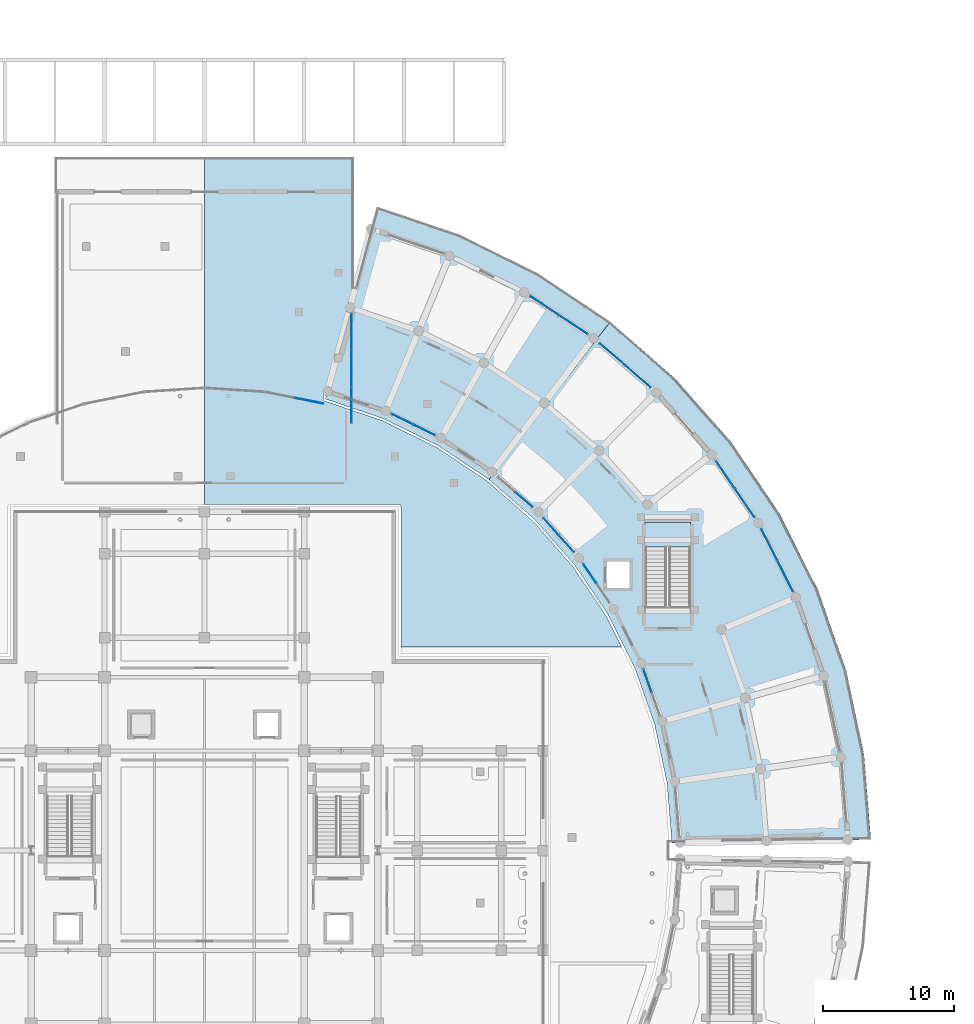
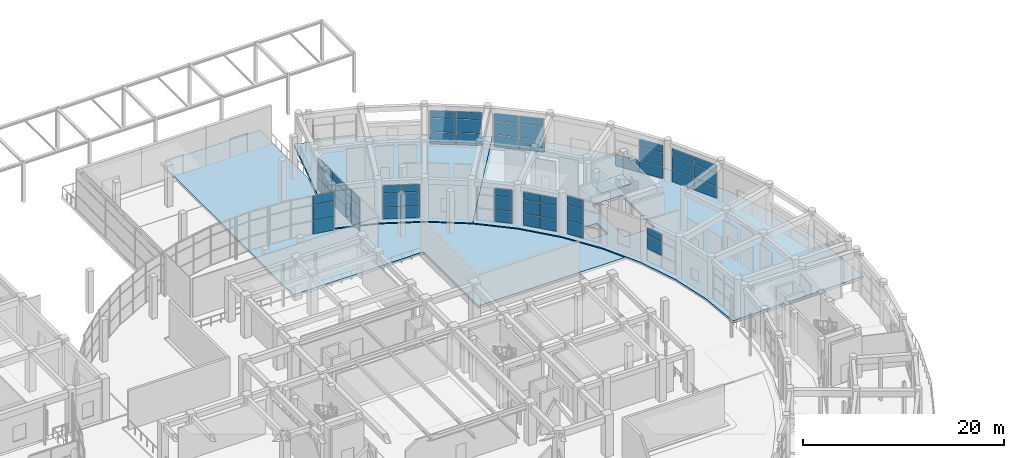
# One storey, part 61 of 99: 54 plates, 4 slabs, 12 elements without a shape of their own.
"""IFC4 building model written with IfcOpenShell, lengths in metres."""

from ifc_helpers import new_model, si_unit, direction, frame, origin, origin_2d, place, context, subcontext, project, spatial, polyline, rectangle, outline, extrude, material, layer, layer_set, type_object, element, aggregate, save


model = new_model("IFC4")

# Units and contexts
model_context = context("Model", 3, precision=1e-05, world=origin(), true_north=direction((0.0, 1.0)))
body_context = subcontext(model_context, "Body", "Model", "MODEL_VIEW")
ifc_project = project(units=[si_unit("LENGTHUNIT", "METRE"), si_unit("AREAUNIT", "SQUARE_METRE"), si_unit("VOLUMEUNIT", "CUBIC_METRE"), si_unit("PLANEANGLEUNIT", "RADIAN"), si_unit("MASSUNIT", "GRAM", prefix="KILO")], contexts=[model_context])

# Site, building, storey
site_placement = place(None, origin())
site = spatial("IfcSite", under=ifc_project, at=site_placement, CompositionType="ELEMENT")
building_placement = place(site_placement, origin())
building = spatial("IfcBuilding", under=site, at=building_placement, Name="Saryqyr Civic Hall", CompositionType="ELEMENT")
storey_placement = place(building_placement, origin())
storey = spatial("IfcBuildingStorey", under=building, at=storey_placement, Name="L00", CompositionType="ELEMENT", Elevation=0.0)

# Curtain wall, plates
ifc_material_1 = material(Name="Anodised aluminium and triple low-E glass", Category="aluminium")
curtain_wall_type_1 = type_object("IfcCurtainWallType", Name="ENV-CW-STD-07", PredefinedType="NOTDEFINED", material=ifc_material_1)
curtain_wall_1_placement = place(storey_placement, origin())
curtain_wall_1 = element("IfcCurtainWall", 1, at=curtain_wall_1_placement, inside=storey, type_object=curtain_wall_type_1, Name="Curtain wall V6-CWI-L00-02", PredefinedType="NOTDEFINED")
ifc_material_2 = material(Name="Triple low-E insulated glazing", Category="glass")
ifc_layer_1 = layer(ifc_material_2, 0.053955078125, Name="Triple low-E insulated glazing")
ifc_layer_set_1 = layer_set([ifc_layer_1], Name="Triple low-E insulated glazing")
plate_type = type_object("IfcPlateType", Name="ENV-CW-PNL-38", PredefinedType="CURTAIN_PANEL", material=ifc_layer_set_1)
plate_1_placement = place(storey_placement, frame((90.749267578125, 96.916748046875, 1.5400390625), z_axis=(0.0, 0.0, 1.0), x_axis=(-0.333172944954, 0.942865732091, 0.0)))
plate_1 = element("IfcPlate", 2, at=plate_1_placement, type_object=plate_type, Name="CW-07 panel 2.2", PredefinedType="CURTAIN_PANEL", context=body_context, shape_type="SweptSolid", body=[
    extrude(rectangle(XDim=1.8076171875, YDim=0.053955078125, at=origin_2d()), origin(), (0.0, 0.0, 1.0), 1.617919921875),
])
plate_2_placement = place(storey_placement, frame((90.749267578125, 96.916748046875, 3.218017578125), z_axis=(0.0, 0.0, 1.0), x_axis=(-0.333172944954, 0.942865732091, 0.0)))
plate_2 = element("IfcPlate", 3, at=plate_2_placement, type_object=plate_type, Name="CW-07 panel 2.3", PredefinedType="CURTAIN_PANEL", context=body_context, shape_type="SweptSolid", body=[
    extrude(rectangle(XDim=1.8076171875, YDim=0.053955078125, at=origin_2d()), origin(), (0.0, 0.0, 1.0), 0.9169921875),
])
aggregate(curtain_wall_1, [plate_1, plate_2])

curtain_wall_type_2 = type_object("IfcCurtainWallType", Name="ENV-CW-STD-35", PredefinedType="NOTDEFINED", material=ifc_material_1)
curtain_wall_2_placement = place(storey_placement, origin())
curtain_wall_2 = element("IfcCurtainWall", 4, at=curtain_wall_2_placement, inside=storey, type_object=curtain_wall_type_2, Name="Curtain wall V6-CWO-L00-03", PredefinedType="NOTDEFINED")
plate_3_placement = place(storey_placement, frame((100.016357421875, 107.28857421875, 0.06005859375), z_axis=(0.0, 0.0, 1.0), x_axis=(0.451942386625, -0.892047128335, 0.0)))
plate_3 = element("IfcPlate", 5, at=plate_3_placement, type_object=plate_type, Name="CW-35 panel 1.1", PredefinedType="CURTAIN_PANEL", context=body_context, shape_type="SweptSolid", body=[
    extrude(rectangle(XDim=2.609130859375, YDim=0.053955078125, at=origin_2d()), origin(), (0.0, 0.0, 1.0), 1.419921875),
])
plate_4_placement = place(storey_placement, frame((100.016357421875, 107.28857421875, 1.5400390625), z_axis=(0.0, 0.0, 1.0), x_axis=(0.451942386625, -0.892047128335, 0.0)))
plate_4 = element("IfcPlate", 6, at=plate_4_placement, type_object=plate_type, Name="CW-35 panel 1.2", PredefinedType="CURTAIN_PANEL", context=body_context, shape_type="SweptSolid", body=[
    extrude(rectangle(XDim=2.609130859375, YDim=0.053955078125, at=origin_2d()), origin(), (0.0, 0.0, 1.0), 1.617919921875),
])
plate_5_placement = place(storey_placement, frame((100.016357421875, 107.28857421875, 3.218017578125), z_axis=(0.0, 0.0, 1.0), x_axis=(0.451942386625, -0.892047128335, 0.0)))
plate_5 = element("IfcPlate", 7, at=plate_5_placement, type_object=plate_type, Name="CW-35 panel 1.3", PredefinedType="CURTAIN_PANEL", context=body_context, shape_type="SweptSolid", body=[
    extrude(rectangle(XDim=2.609130859375, YDim=0.053955078125, at=origin_2d()), origin(), (0.0, 0.0, 1.0), 0.9169921875),
])
plate_6_placement = place(storey_placement, frame((101.222412109375, 104.90771484375, 0.06005859375), z_axis=(0.0, 0.0, 1.0), x_axis=(0.451942386625, -0.892047128335, 0.0)))
plate_6 = element("IfcPlate", 8, at=plate_6_placement, type_object=plate_type, Name="CW-35 panel 2.1", PredefinedType="CURTAIN_PANEL", context=body_context, shape_type="SweptSolid", body=[
    extrude(rectangle(XDim=2.609130859375, YDim=0.053955078125, at=origin_2d()), origin(), (0.0, 0.0, 1.0), 1.419921875),
])
plate_7_placement = place(storey_placement, frame((101.222412109375, 104.90771484375, 1.5400390625), z_axis=(0.0, 0.0, 1.0), x_axis=(0.451942386625, -0.892047128335, 0.0)))
plate_7 = element("IfcPlate", 9, at=plate_7_placement, type_object=plate_type, Name="CW-35 panel 2.2", PredefinedType="CURTAIN_PANEL", context=body_context, shape_type="SweptSolid", body=[
    extrude(rectangle(XDim=2.609130859375, YDim=0.053955078125, at=origin_2d()), origin(), (0.0, 0.0, 1.0), 1.617919921875),
])
plate_8_placement = place(storey_placement, frame((101.222412109375, 104.90771484375, 3.218017578125), z_axis=(0.0, 0.0, 1.0), x_axis=(0.451942386625, -0.892047128335, 0.0)))
plate_8 = element("IfcPlate", 10, at=plate_8_placement, type_object=plate_type, Name="CW-35 panel 2.3", PredefinedType="CURTAIN_PANEL", context=body_context, shape_type="SweptSolid", body=[
    extrude(rectangle(XDim=2.609130859375, YDim=0.053955078125, at=origin_2d()), origin(), (0.0, 0.0, 1.0), 0.9169921875),
])
aggregate(curtain_wall_2, [plate_3, plate_4, plate_5, plate_6, plate_7, plate_8])

curtain_wall_type_3 = type_object("IfcCurtainWallType", Name="ENV-CW-STD-42", PredefinedType="NOTDEFINED", material=ifc_material_1)
curtain_wall_3_placement = place(storey_placement, origin())
curtain_wall_3 = element("IfcCurtainWall", 11, at=curtain_wall_3_placement, inside=storey, type_object=curtain_wall_type_3, Name="Curtain wall V6-CWO-L00-04", PredefinedType="NOTDEFINED")
plate_9_placement = place(storey_placement, frame((96.66650390625, 112.623291015625, 0.06005859375), z_axis=(0.0, 0.0, 1.0), x_axis=(0.563119415089, -0.826375534699, 0.0)))
plate_9 = element("IfcPlate", 12, at=plate_9_placement, type_object=plate_type, Name="CW-42 panel 1.1", PredefinedType="CURTAIN_PANEL", context=body_context, shape_type="SweptSolid", body=[
    extrude(rectangle(XDim=2.572021484375, YDim=0.053955078125, at=origin_2d()), origin(), (0.0, 0.0, 1.0), 1.419921875),
])
plate_10_placement = place(storey_placement, frame((98.148681640625, 110.4482421875, 0.06005859375), z_axis=(0.0, 0.0, 1.0), x_axis=(0.563119415089, -0.826375534699, 0.0)))
plate_10 = element("IfcPlate", 13, at=plate_10_placement, type_object=plate_type, Name="CW-42 panel 2.1", PredefinedType="CURTAIN_PANEL", context=body_context, shape_type="SweptSolid", body=[
    extrude(rectangle(XDim=2.572021484375, YDim=0.053955078125, at=origin_2d()), origin(), (0.0, 0.0, 1.0), 1.419921875),
])
plate_11_placement = place(storey_placement, frame((98.148681640625, 110.4482421875, 1.5400390625), z_axis=(0.0, 0.0, 1.0), x_axis=(0.563119415089, -0.826375534699, 0.0)))
plate_11 = element("IfcPlate", 14, at=plate_11_placement, type_object=plate_type, Name="CW-42 panel 2.2", PredefinedType="CURTAIN_PANEL", context=body_context, shape_type="SweptSolid", body=[
    extrude(rectangle(XDim=2.572021484375, YDim=0.053955078125, at=origin_2d()), origin(), (0.0, 0.0, 1.0), 1.617919921875),
])
plate_12_placement = place(storey_placement, frame((98.148681640625, 110.4482421875, 3.218017578125), z_axis=(0.0, 0.0, 1.0), x_axis=(0.563119415089, -0.826375534699, 0.0)))
plate_12 = element("IfcPlate", 15, at=plate_12_placement, type_object=plate_type, Name="CW-42 panel 2.3", PredefinedType="CURTAIN_PANEL", context=body_context, shape_type="SweptSolid", body=[
    extrude(rectangle(XDim=2.572021484375, YDim=0.053955078125, at=origin_2d()), origin(), (0.0, 0.0, 1.0), 0.9169921875),
])
aggregate(curtain_wall_3, [plate_9, plate_10, plate_11, plate_12])

curtain_wall_type_4 = type_object("IfcCurtainWallType", Name="ENV-CW-STD-43", PredefinedType="NOTDEFINED", material=ifc_material_1)
curtain_wall_4_placement = place(storey_placement, origin())
curtain_wall_4 = element("IfcCurtainWall", 16, at=curtain_wall_4_placement, inside=storey, type_object=curtain_wall_type_4, Name="Curtain wall V6-CWI-L00-04", PredefinedType="NOTDEFINED")
plate_13_placement = place(storey_placement, frame((86.34375, 105.088623046875, 0.06005859375), z_axis=(0.0, 0.0, 1.0), x_axis=(-0.563133092967, 0.826366213979, 0.0)))
plate_13 = element("IfcPlate", 17, at=plate_13_placement, type_object=plate_type, Name="CW-43 panel 2.1", PredefinedType="CURTAIN_PANEL", context=body_context, shape_type="SweptSolid", body=[
    extrude(rectangle(XDim=1.745361328125, YDim=0.053955078125, at=origin_2d()), origin(), (0.0, 0.0, 1.0), 1.6201171875),
])
plate_14_placement = place(storey_placement, frame((86.34375, 105.088623046875, 1.73974609375), z_axis=(0.0, 0.0, 1.0), x_axis=(-0.563133092967, 0.826366213979, 0.0)))
plate_14 = element("IfcPlate", 18, at=plate_14_placement, type_object=plate_type, Name="CW-43 panel 2.2", PredefinedType="CURTAIN_PANEL", context=body_context, shape_type="SweptSolid", body=[
    extrude(rectangle(XDim=1.745361328125, YDim=0.053955078125, at=origin_2d()), origin(), (0.0, 0.0, 1.0), 1.840087890625),
])
plate_15_placement = place(storey_placement, frame((86.34375, 105.088623046875, 3.64013671875), z_axis=(0.0, 0.0, 1.0), x_axis=(-0.563133092967, 0.826366213979, 0.0)))
plate_15 = element("IfcPlate", 19, at=plate_15_placement, type_object=plate_type, Name="CW-43 panel 2.3", PredefinedType="CURTAIN_PANEL", context=body_context, shape_type="SweptSolid", body=[
    extrude(rectangle(XDim=1.745361328125, YDim=0.053955078125, at=origin_2d()), origin(), (0.0, 0.0, 1.0), 1.050048828125),
])
aggregate(curtain_wall_4, [plate_13, plate_14, plate_15])

curtain_wall_type_5 = type_object("IfcCurtainWallType", Name="ENV-CW-STD-11", PredefinedType="NOTDEFINED", material=ifc_material_1)
curtain_wall_5_placement = place(storey_placement, origin())
curtain_wall_5 = element("IfcCurtainWall", 20, at=curtain_wall_5_placement, inside=storey, type_object=curtain_wall_type_5, Name="Curtain wall V6-CWI-L00-05", PredefinedType="NOTDEFINED")
plate_16_placement = place(storey_placement, frame((84.563720703125, 107.3662109375, 0.06005859375), z_axis=(0.0, 0.0, 1.0), x_axis=(-0.664924429833, 0.746910638973, 0.0)))
plate_16 = element("IfcPlate", 21, at=plate_16_placement, type_object=plate_type, Name="CW-11 panel 1.1", PredefinedType="CURTAIN_PANEL", context=body_context, shape_type="SweptSolid", body=[
    extrude(rectangle(XDim=1.69189453125, YDim=0.053955078125, at=origin_2d()), origin(), (0.0, 0.0, 1.0), 1.419921875),
])
plate_17_placement = place(storey_placement, frame((84.563720703125, 107.3662109375, 1.5400390625), z_axis=(0.0, 0.0, 1.0), x_axis=(-0.664924429833, 0.746910638973, 0.0)))
plate_17 = element("IfcPlate", 22, at=plate_17_placement, type_object=plate_type, Name="CW-11 panel 1.2", PredefinedType="CURTAIN_PANEL", context=body_context, shape_type="SweptSolid", body=[
    extrude(rectangle(XDim=1.69189453125, YDim=0.053955078125, at=origin_2d()), origin(), (0.0, 0.0, 1.0), 1.617919921875),
])
plate_18_placement = place(storey_placement, frame((84.563720703125, 107.3662109375, 3.218017578125), z_axis=(0.0, 0.0, 1.0), x_axis=(-0.664924429833, 0.746910638973, 0.0)))
plate_18 = element("IfcPlate", 23, at=plate_18_placement, type_object=plate_type, Name="CW-11 panel 1.3", PredefinedType="CURTAIN_PANEL", context=body_context, shape_type="SweptSolid", body=[
    extrude(rectangle(XDim=1.69189453125, YDim=0.053955078125, at=origin_2d()), origin(), (0.0, 0.0, 1.0), 0.9169921875),
])
plate_19_placement = place(storey_placement, frame((83.39892578125, 108.6748046875, 0.06005859375), z_axis=(0.0, 0.0, 1.0), x_axis=(-0.664924429833, 0.746910638973, 0.0)))
plate_19 = element("IfcPlate", 24, at=plate_19_placement, type_object=plate_type, Name="CW-11 panel 2.1", PredefinedType="CURTAIN_PANEL", context=body_context, shape_type="SweptSolid", body=[
    extrude(rectangle(XDim=1.69189453125, YDim=0.053955078125, at=origin_2d()), origin(), (0.0, 0.0, 1.0), 1.419921875),
])
plate_20_placement = place(storey_placement, frame((83.39892578125, 108.6748046875, 1.5400390625), z_axis=(0.0, 0.0, 1.0), x_axis=(-0.664924429833, 0.746910638973, 0.0)))
plate_20 = element("IfcPlate", 25, at=plate_20_placement, type_object=plate_type, Name="CW-11 panel 2.2", PredefinedType="CURTAIN_PANEL", context=body_context, shape_type="SweptSolid", body=[
    extrude(rectangle(XDim=1.69189453125, YDim=0.053955078125, at=origin_2d()), origin(), (0.0, 0.0, 1.0), 1.617919921875),
])
plate_21_placement = place(storey_placement, frame((83.39892578125, 108.6748046875, 3.218017578125), z_axis=(0.0, 0.0, 1.0), x_axis=(-0.664924429833, 0.746910638973, 0.0)))
plate_21 = element("IfcPlate", 26, at=plate_21_placement, type_object=plate_type, Name="CW-11 panel 2.3", PredefinedType="CURTAIN_PANEL", context=body_context, shape_type="SweptSolid", body=[
    extrude(rectangle(XDim=1.69189453125, YDim=0.053955078125, at=origin_2d()), origin(), (0.0, 0.0, 1.0), 0.9169921875),
])
aggregate(curtain_wall_5, [plate_16, plate_17, plate_18, plate_19, plate_20, plate_21])

curtain_wall_type_6 = type_object("IfcCurtainWallType", Name="ENV-CW-STD-34", PredefinedType="NOTDEFINED", material=ifc_material_1)
curtain_wall_6_placement = place(storey_placement, origin())
curtain_wall_6 = element("IfcCurtainWall", 27, at=curtain_wall_6_placement, inside=storey, type_object=curtain_wall_type_6, Name="Curtain wall V6-CWO-L00-06", PredefinedType="NOTDEFINED")
plate_22_placement = place(storey_placement, frame((88.050048828125, 121.79638671875, 0.06005859375), z_axis=(0.0, 0.0, 1.0), x_axis=(0.755656276333, -0.654968390107, 0.0)))
plate_22 = element("IfcPlate", 28, at=plate_22_placement, type_object=plate_type, Name="CW-34 panel 1.1", PredefinedType="CURTAIN_PANEL", context=body_context, shape_type="SweptSolid", body=[
    extrude(rectangle(XDim=2.52490234375, YDim=0.053955078125, at=origin_2d()), origin(), (0.0, 0.0, 1.0), 1.419921875),
])
plate_23_placement = place(storey_placement, frame((88.050048828125, 121.79638671875, 1.5400390625), z_axis=(0.0, 0.0, 1.0), x_axis=(0.755656276333, -0.654968390107, 0.0)))
plate_23 = element("IfcPlate", 29, at=plate_23_placement, type_object=plate_type, Name="CW-34 panel 1.2", PredefinedType="CURTAIN_PANEL", context=body_context, shape_type="SweptSolid", body=[
    extrude(rectangle(XDim=2.52490234375, YDim=0.053955078125, at=origin_2d()), origin(), (0.0, 0.0, 1.0), 1.617919921875),
])
plate_24_placement = place(storey_placement, frame((88.050048828125, 121.79638671875, 3.218017578125), z_axis=(0.0, 0.0, 1.0), x_axis=(0.755656276333, -0.654968390107, 0.0)))
plate_24 = element("IfcPlate", 30, at=plate_24_placement, type_object=plate_type, Name="CW-34 panel 1.3", PredefinedType="CURTAIN_PANEL", context=body_context, shape_type="SweptSolid", body=[
    extrude(rectangle(XDim=2.52490234375, YDim=0.053955078125, at=origin_2d()), origin(), (0.0, 0.0, 1.0), 0.9169921875),
])
plate_25_placement = place(storey_placement, frame((90.00341796875, 120.103271484375, 0.06005859375), z_axis=(0.0, 0.0, 1.0), x_axis=(0.755656276333, -0.654968390107, 0.0)))
plate_25 = element("IfcPlate", 31, at=plate_25_placement, type_object=plate_type, Name="CW-34 panel 2.1", PredefinedType="CURTAIN_PANEL", context=body_context, shape_type="SweptSolid", body=[
    extrude(rectangle(XDim=2.52490234375, YDim=0.053955078125, at=origin_2d()), origin(), (0.0, 0.0, 1.0), 1.419921875),
])
plate_26_placement = place(storey_placement, frame((90.00341796875, 120.103271484375, 1.5400390625), z_axis=(0.0, 0.0, 1.0), x_axis=(0.755656276333, -0.654968390107, 0.0)))
plate_26 = element("IfcPlate", 32, at=plate_26_placement, type_object=plate_type, Name="CW-34 panel 2.2", PredefinedType="CURTAIN_PANEL", context=body_context, shape_type="SweptSolid", body=[
    extrude(rectangle(XDim=2.52490234375, YDim=0.053955078125, at=origin_2d()), origin(), (0.0, 0.0, 1.0), 1.617919921875),
])
plate_27_placement = place(storey_placement, frame((90.00341796875, 120.103271484375, 3.218017578125), z_axis=(0.0, 0.0, 1.0), x_axis=(0.755656276333, -0.654968390107, 0.0)))
plate_27 = element("IfcPlate", 33, at=plate_27_placement, type_object=plate_type, Name="CW-34 panel 2.3", PredefinedType="CURTAIN_PANEL", context=body_context, shape_type="SweptSolid", body=[
    extrude(rectangle(XDim=2.52490234375, YDim=0.053955078125, at=origin_2d()), origin(), (0.0, 0.0, 1.0), 0.9169921875),
])
aggregate(curtain_wall_6, [plate_22, plate_23, plate_24, plate_25, plate_26, plate_27])

curtain_wall_7_placement = place(storey_placement, origin())
curtain_wall_7 = element("IfcCurtainWall", 34, at=curtain_wall_7_placement, inside=storey, type_object=curtain_wall_type_5, Name="Curtain wall V6-CWI-L00-06", PredefinedType="NOTDEFINED")
plate_28_placement = place(storey_placement, frame((81.324951171875, 110.7216796875, 0.06005859375), z_axis=(0.0, 0.0, 1.0), x_axis=(-0.755649416541, 0.654976304367, 0.0)))
plate_28 = element("IfcPlate", 35, at=plate_28_placement, type_object=plate_type, Name="CW-11 panel 1.1", PredefinedType="CURTAIN_PANEL", context=body_context, shape_type="SweptSolid", body=[
    extrude(rectangle(XDim=1.698486328125, YDim=0.053955078125, at=origin_2d()), origin(), (0.0, 0.0, 1.0), 1.419921875),
])
plate_29_placement = place(storey_placement, frame((81.324951171875, 110.7216796875, 1.5400390625), z_axis=(0.0, 0.0, 1.0), x_axis=(-0.755649416541, 0.654976304367, 0.0)))
plate_29 = element("IfcPlate", 36, at=plate_29_placement, type_object=plate_type, Name="CW-11 panel 1.2", PredefinedType="CURTAIN_PANEL", context=body_context, shape_type="SweptSolid", body=[
    extrude(rectangle(XDim=1.698486328125, YDim=0.053955078125, at=origin_2d()), origin(), (0.0, 0.0, 1.0), 1.617919921875),
])
plate_30_placement = place(storey_placement, frame((81.324951171875, 110.7216796875, 3.218017578125), z_axis=(0.0, 0.0, 1.0), x_axis=(-0.755649416541, 0.654976304367, 0.0)))
plate_30 = element("IfcPlate", 37, at=plate_30_placement, type_object=plate_type, Name="CW-11 panel 1.3", PredefinedType="CURTAIN_PANEL", context=body_context, shape_type="SweptSolid", body=[
    extrude(rectangle(XDim=1.698486328125, YDim=0.053955078125, at=origin_2d()), origin(), (0.0, 0.0, 1.0), 0.9169921875),
])
aggregate(curtain_wall_7, [plate_28, plate_29, plate_30])

curtain_wall_8_placement = place(storey_placement, origin())
curtain_wall_8 = element("IfcCurtainWall", 38, at=curtain_wall_8_placement, inside=storey, type_object=curtain_wall_type_3, Name="Curtain wall V6-CWO-L00-07", PredefinedType="NOTDEFINED")
plate_31_placement = place(storey_placement, frame((82.898193359375, 125.4970703125, 0.06005859375), z_axis=(0.0, 0.0, 1.0), x_axis=(0.833762747619, -0.552122885491, 0.0)))
plate_31 = element("IfcPlate", 39, at=plate_31_placement, type_object=plate_type, Name="CW-42 panel 1.1", PredefinedType="CURTAIN_PANEL", context=body_context, shape_type="SweptSolid", body=[
    extrude(rectangle(XDim=2.576416015625, YDim=0.053955078125, at=origin_2d()), origin(), (0.0, 0.0, 1.0), 1.419921875),
])
plate_32_placement = place(storey_placement, frame((82.898193359375, 125.4970703125, 1.5400390625), z_axis=(0.0, 0.0, 1.0), x_axis=(0.833762747619, -0.552122885491, 0.0)))
plate_32 = element("IfcPlate", 40, at=plate_32_placement, type_object=plate_type, Name="CW-42 panel 1.2", PredefinedType="CURTAIN_PANEL", context=body_context, shape_type="SweptSolid", body=[
    extrude(rectangle(XDim=2.576416015625, YDim=0.053955078125, at=origin_2d()), origin(), (0.0, 0.0, 1.0), 1.617919921875),
])
plate_33_placement = place(storey_placement, frame((82.898193359375, 125.4970703125, 3.218017578125), z_axis=(0.0, 0.0, 1.0), x_axis=(0.833762747619, -0.552122885491, 0.0)))
plate_33 = element("IfcPlate", 41, at=plate_33_placement, type_object=plate_type, Name="CW-42 panel 1.3", PredefinedType="CURTAIN_PANEL", context=body_context, shape_type="SweptSolid", body=[
    extrude(rectangle(XDim=2.576416015625, YDim=0.053955078125, at=origin_2d()), origin(), (0.0, 0.0, 1.0), 0.9169921875),
])
plate_34_placement = place(storey_placement, frame((85.096435546875, 124.04150390625, 0.06005859375), z_axis=(0.0, 0.0, 1.0), x_axis=(0.833762747619, -0.552122885491, 0.0)))
plate_34 = element("IfcPlate", 42, at=plate_34_placement, type_object=plate_type, Name="CW-42 panel 2.1", PredefinedType="CURTAIN_PANEL", context=body_context, shape_type="SweptSolid", body=[
    extrude(rectangle(XDim=2.576416015625, YDim=0.053955078125, at=origin_2d()), origin(), (0.0, 0.0, 1.0), 1.419921875),
])
plate_35_placement = place(storey_placement, frame((85.096435546875, 124.04150390625, 1.5400390625), z_axis=(0.0, 0.0, 1.0), x_axis=(0.833762747619, -0.552122885491, 0.0)))
plate_35 = element("IfcPlate", 43, at=plate_35_placement, type_object=plate_type, Name="CW-42 panel 2.2", PredefinedType="CURTAIN_PANEL", context=body_context, shape_type="SweptSolid", body=[
    extrude(rectangle(XDim=2.576416015625, YDim=0.053955078125, at=origin_2d()), origin(), (0.0, 0.0, 1.0), 1.617919921875),
])
plate_36_placement = place(storey_placement, frame((85.096435546875, 124.04150390625, 3.218017578125), z_axis=(0.0, 0.0, 1.0), x_axis=(0.833762747619, -0.552122885491, 0.0)))
plate_36 = element("IfcPlate", 44, at=plate_36_placement, type_object=plate_type, Name="CW-42 panel 2.3", PredefinedType="CURTAIN_PANEL", context=body_context, shape_type="SweptSolid", body=[
    extrude(rectangle(XDim=2.576416015625, YDim=0.053955078125, at=origin_2d()), origin(), (0.0, 0.0, 1.0), 0.9169921875),
])
aggregate(curtain_wall_8, [plate_31, plate_32, plate_33, plate_34, plate_35, plate_36])

curtain_wall_9_placement = place(storey_placement, origin())
curtain_wall_9 = element("IfcCurtainWall", 45, at=curtain_wall_9_placement, inside=storey, type_object=curtain_wall_type_1, Name="Curtain wall V6-CWI-L00-08", PredefinedType="NOTDEFINED")
plate_37_placement = place(storey_placement, frame((73.725341796875, 116.03271484375, 0.06005859375), z_axis=(0.0, 0.0, 1.0), x_axis=(-0.897971128379, 0.440054374592, 0.0)))
plate_37 = element("IfcPlate", 46, at=plate_37_placement, type_object=plate_type, Name="CW-07 panel 1.1", PredefinedType="CURTAIN_PANEL", context=body_context, shape_type="SweptSolid", body=[
    extrude(rectangle(XDim=1.785400390625, YDim=0.053955078125, at=origin_2d()), origin(), (0.0, 0.0, 1.0), 1.419921875),
])
plate_38_placement = place(storey_placement, frame((73.725341796875, 116.03271484375, 1.5400390625), z_axis=(0.0, 0.0, 1.0), x_axis=(-0.897971128379, 0.440054374592, 0.0)))
plate_38 = element("IfcPlate", 47, at=plate_38_placement, type_object=plate_type, Name="CW-07 panel 1.2", PredefinedType="CURTAIN_PANEL", context=body_context, shape_type="SweptSolid", body=[
    extrude(rectangle(XDim=1.785400390625, YDim=0.053955078125, at=origin_2d()), origin(), (0.0, 0.0, 1.0), 1.617919921875),
])
plate_39_placement = place(storey_placement, frame((73.725341796875, 116.03271484375, 3.218017578125), z_axis=(0.0, 0.0, 1.0), x_axis=(-0.897971128379, 0.440054374592, 0.0)))
plate_39 = element("IfcPlate", 48, at=plate_39_placement, type_object=plate_type, Name="CW-07 panel 1.3", PredefinedType="CURTAIN_PANEL", context=body_context, shape_type="SweptSolid", body=[
    extrude(rectangle(XDim=1.785400390625, YDim=0.053955078125, at=origin_2d()), origin(), (0.0, 0.0, 1.0), 0.9169921875),
])
plate_40_placement = place(storey_placement, frame((72.068115234375, 116.8447265625, 0.06005859375), z_axis=(0.0, 0.0, 1.0), x_axis=(-0.897971128379, 0.440054374592, 0.0)))
plate_40 = element("IfcPlate", 49, at=plate_40_placement, type_object=plate_type, Name="CW-07 panel 2.1", PredefinedType="CURTAIN_PANEL", context=body_context, shape_type="SweptSolid", body=[
    extrude(rectangle(XDim=1.785400390625, YDim=0.053955078125, at=origin_2d()), origin(), (0.0, 0.0, 1.0), 1.419921875),
])
plate_41_placement = place(storey_placement, frame((72.068115234375, 116.8447265625, 1.5400390625), z_axis=(0.0, 0.0, 1.0), x_axis=(-0.897971128379, 0.440054374592, 0.0)))
plate_41 = element("IfcPlate", 50, at=plate_41_placement, type_object=plate_type, Name="CW-07 panel 2.2", PredefinedType="CURTAIN_PANEL", context=body_context, shape_type="SweptSolid", body=[
    extrude(rectangle(XDim=1.785400390625, YDim=0.053955078125, at=origin_2d()), origin(), (0.0, 0.0, 1.0), 1.617919921875),
])
plate_42_placement = place(storey_placement, frame((72.068115234375, 116.8447265625, 3.218017578125), z_axis=(0.0, 0.0, 1.0), x_axis=(-0.897971128379, 0.440054374592, 0.0)))
plate_42 = element("IfcPlate", 51, at=plate_42_placement, type_object=plate_type, Name="CW-07 panel 2.3", PredefinedType="CURTAIN_PANEL", context=body_context, shape_type="SweptSolid", body=[
    extrude(rectangle(XDim=1.785400390625, YDim=0.053955078125, at=origin_2d()), origin(), (0.0, 0.0, 1.0), 0.9169921875),
])
aggregate(curtain_wall_9, [plate_37, plate_38, plate_39, plate_40, plate_41, plate_42])

curtain_wall_type_7 = type_object("IfcCurtainWallType", Name="ENV-CW-STD-66", PredefinedType="NOTDEFINED", material=ifc_material_1)
curtain_wall_10_placement = place(storey_placement, origin())
curtain_wall_10 = element("IfcCurtainWall", 52, at=curtain_wall_10_placement, inside=storey, type_object=curtain_wall_type_7, Name="Curtain wall V2-VESTFLK-NE-L00", PredefinedType="NOTDEFINED")
plate_43_placement = place(storey_placement, frame((68.199951171875, 123.507080078125, 0.06005859375), z_axis=(0.0, 0.0, 1.0), x_axis=(0.0, -1.0, 0.0)))
plate_43 = element("IfcPlate", 53, at=plate_43_placement, type_object=plate_type, Name="CW-66 panel 1.1", PredefinedType="CURTAIN_PANEL", context=body_context, shape_type="SweptSolid", body=[
    extrude(rectangle(XDim=2.71875, YDim=0.053955078125, at=origin_2d()), origin(), (0.0, 0.0, 1.0), 1.365966796875),
])
plate_44_placement = place(storey_placement, frame((68.199951171875, 123.507080078125, 1.48583984375), z_axis=(0.0, 0.0, 1.0), x_axis=(0.0, -1.0, 0.0)))
plate_44 = element("IfcPlate", 54, at=plate_44_placement, type_object=plate_type, Name="CW-66 panel 1.2", PredefinedType="CURTAIN_PANEL", context=body_context, shape_type="SweptSolid", body=[
    extrude(rectangle(XDim=2.71875, YDim=0.053955078125, at=origin_2d()), origin(), (0.0, 0.0, 1.0), 1.55810546875),
])
plate_45_placement = place(storey_placement, frame((68.199951171875, 123.507080078125, 3.10400390625), z_axis=(0.0, 0.0, 1.0), x_axis=(0.0, -1.0, 0.0)))
plate_45 = element("IfcPlate", 55, at=plate_45_placement, type_object=plate_type, Name="CW-66 panel 1.3", PredefinedType="CURTAIN_PANEL", context=body_context, shape_type="SweptSolid", body=[
    extrude(rectangle(XDim=2.71875, YDim=0.053955078125, at=origin_2d()), origin(), (0.0, 0.0, 1.0), 0.881103515625),
])
plate_46_placement = place(storey_placement, frame((68.199951171875, 120.71337890625, 0.06005859375), z_axis=(0.0, 0.0, 1.0), x_axis=(0.0, -1.0, 0.0)))
plate_46 = element("IfcPlate", 56, at=plate_46_placement, type_object=plate_type, Name="CW-66 panel 2.1", PredefinedType="CURTAIN_PANEL", context=body_context, shape_type="SweptSolid", body=[
    extrude(rectangle(XDim=2.748779296875, YDim=0.053955078125, at=origin_2d()), origin(), (0.0, 0.0, 1.0), 1.365966796875),
])
plate_47_placement = place(storey_placement, frame((68.199951171875, 120.71337890625, 1.48583984375), z_axis=(0.0, 0.0, 1.0), x_axis=(0.0, -1.0, 0.0)))
plate_47 = element("IfcPlate", 57, at=plate_47_placement, type_object=plate_type, Name="CW-66 panel 2.2", PredefinedType="CURTAIN_PANEL", context=body_context, shape_type="SweptSolid", body=[
    extrude(rectangle(XDim=2.748779296875, YDim=0.053955078125, at=origin_2d()), origin(), (0.0, 0.0, 1.0), 1.55810546875),
])
plate_48_placement = place(storey_placement, frame((68.199951171875, 120.71337890625, 3.10400390625), z_axis=(0.0, 0.0, 1.0), x_axis=(0.0, -1.0, 0.0)))
plate_48 = element("IfcPlate", 58, at=plate_48_placement, type_object=plate_type, Name="CW-66 panel 2.3", PredefinedType="CURTAIN_PANEL", context=body_context, shape_type="SweptSolid", body=[
    extrude(rectangle(XDim=2.748779296875, YDim=0.053955078125, at=origin_2d()), origin(), (0.0, 0.0, 1.0), 0.881103515625),
])
plate_49_placement = place(storey_placement, frame((68.199951171875, 117.91943359375, 0.06005859375), z_axis=(0.0, 0.0, 1.0), x_axis=(0.0, -1.0, 0.0)))
plate_49 = element("IfcPlate", 59, at=plate_49_placement, type_object=plate_type, Name="CW-66 panel 3.1", PredefinedType="CURTAIN_PANEL", context=body_context, shape_type="SweptSolid", body=[
    extrude(rectangle(XDim=2.71875, YDim=0.053955078125, at=origin_2d()), origin(), (0.0, 0.0, 1.0), 1.365966796875),
])
plate_50_placement = place(storey_placement, frame((68.199951171875, 117.91943359375, 1.48583984375), z_axis=(0.0, 0.0, 1.0), x_axis=(0.0, -1.0, 0.0)))
plate_50 = element("IfcPlate", 60, at=plate_50_placement, type_object=plate_type, Name="CW-66 panel 3.2", PredefinedType="CURTAIN_PANEL", context=body_context, shape_type="SweptSolid", body=[
    extrude(rectangle(XDim=2.71875, YDim=0.053955078125, at=origin_2d()), origin(), (0.0, 0.0, 1.0), 1.55810546875),
])
plate_51_placement = place(storey_placement, frame((68.199951171875, 117.91943359375, 3.10400390625), z_axis=(0.0, 0.0, 1.0), x_axis=(0.0, -1.0, 0.0)))
plate_51 = element("IfcPlate", 61, at=plate_51_placement, type_object=plate_type, Name="CW-66 panel 3.3", PredefinedType="CURTAIN_PANEL", context=body_context, shape_type="SweptSolid", body=[
    extrude(rectangle(XDim=2.71875, YDim=0.053955078125, at=origin_2d()), origin(), (0.0, 0.0, 1.0), 0.881103515625),
])
aggregate(curtain_wall_10, [plate_43, plate_44, plate_45, plate_46, plate_47, plate_48, plate_49, plate_50, plate_51])

curtain_wall_type_8 = type_object("IfcCurtainWallType", Name="ENV-CW-STD-67", PredefinedType="NOTDEFINED", material=ifc_material_1)
curtain_wall_11_placement = place(storey_placement, origin())
curtain_wall_11 = element("IfcCurtainWall", 62, at=curtain_wall_11_placement, inside=storey, type_object=curtain_wall_type_8, Name="Curtain wall V2-PERIM-CW-L00-10", PredefinedType="NOTDEFINED")
plate_52_placement = place(storey_placement, frame((64.97119140625, 118.24755859375, 0.06005859375), z_axis=(0.0, 0.0, 1.0), x_axis=(0.980784679507, -0.195093342902, 0.0)))
plate_52 = element("IfcPlate", 63, at=plate_52_placement, type_object=plate_type, Name="CW-67 panel 2.1", PredefinedType="CURTAIN_PANEL", context=body_context, shape_type="SweptSolid", body=[
    extrude(rectangle(XDim=2.213623046875, YDim=0.053955078125, at=origin_2d()), origin(), (0.0, 0.0, 1.0), 1.6201171875),
])
plate_53_placement = place(storey_placement, frame((64.97119140625, 118.24755859375, 1.73974609375), z_axis=(0.0, 0.0, 1.0), x_axis=(0.980784679507, -0.195093342902, 0.0)))
plate_53 = element("IfcPlate", 64, at=plate_53_placement, type_object=plate_type, Name="CW-67 panel 2.2", PredefinedType="CURTAIN_PANEL", context=body_context, shape_type="SweptSolid", body=[
    extrude(rectangle(XDim=2.213623046875, YDim=0.053955078125, at=origin_2d()), origin(), (0.0, 0.0, 1.0), 1.840087890625),
])
plate_54_placement = place(storey_placement, frame((64.97119140625, 118.24755859375, 3.64013671875), z_axis=(0.0, 0.0, 1.0), x_axis=(0.980784679507, -0.195093342902, 0.0)))
plate_54 = element("IfcPlate", 65, at=plate_54_placement, type_object=plate_type, Name="CW-67 panel 2.3", PredefinedType="CURTAIN_PANEL", context=body_context, shape_type="SweptSolid", body=[
    extrude(rectangle(XDim=2.213623046875, YDim=0.053955078125, at=origin_2d()), origin(), (0.0, 0.0, 1.0), 1.050048828125),
])
aggregate(curtain_wall_11, [plate_52, plate_53, plate_54])

# Slabs
ifc_material_3 = material(Name="Concrete C40/50", Category="concrete")
ifc_layer_2 = layer(ifc_material_3, 0.320068359375, Name="Concrete C40/50")
ifc_layer_set_2 = layer_set([ifc_layer_2], Name="Concrete C40/50")
slab_type_1 = type_object("IfcSlabType", Name="STR-SLB-FLR-320", PredefinedType="FLOOR", material=ifc_layer_set_2)
slab_1_placement = place(storey_placement, frame((0.0, 0.0, -0.320068359375)))
element("IfcSlab", 66, at=slab_1_placement, inside=storey, type_object=slab_type_1, Name="Slab SLB-V6A-L00", PredefinedType="FLOOR", context=body_context, shape_type="SweptSolid", body=[
    extrude(outline(polyline([(92.225830078125, 89.14794921875), (91.275390625, 93.62060546875), (89.759521484375, 97.9345703125), (87.703125, 102.0185546875), (85.140380859375, 105.805419921875), (82.11328125, 109.232666015625), (78.671875, 112.243408203125), (87.89453125, 124.2626953125), (92.800537109375, 119.970703125), (97.115966796875, 115.0849609375), (100.769287109375, 109.686767578125), (103.70068359375, 103.864501953125), (105.86181640625, 97.714599609375), (107.216552734375, 91.338623046875), (107.742919921875, 84.84130859375), (92.59521484375, 84.590087890625), (92.225830078125, 89.14794921875)]), holes=[polyline([(89.39990234375, 106.050048828125), (87.60009765625, 106.050048828125), (87.60009765625, 103.949951171875), (89.39990234375, 103.949951171875), (89.39990234375, 106.050048828125)]), polyline([(94.0, 109.0), (90.56005859375, 109.0), (90.56005859375, 102.6201171875), (94.0, 102.6201171875), (94.0, 109.0)])]), origin(), (0.0, 0.0, 1.0), 0.320068359375),
])
slab_2_placement = place(storey_placement, frame((0.0, 0.0, -0.320068359375)))
element("IfcSlab", 67, at=slab_2_placement, inside=storey, type_object=slab_type_1, Name="Slab SLB-V6B-L00", PredefinedType="FLOOR", context=body_context, shape_type="SweptSolid", body=[
    extrude(outline(polyline([(74.800048828125, 114.83056640625), (70.62353515625, 116.89013671875), (66.214111328125, 118.386962890625), (70.135009765625, 133.020751953125), (76.421142578125, 130.886962890625), (82.375, 127.95068359375), (87.89453125, 124.2626953125), (78.671875, 112.243408203125), (74.800048828125, 114.83056640625)])), origin(), (0.0, 0.0, 1.0), 0.320068359375),
])
slab_3_placement = place(storey_placement, frame((0.0, 0.0, -0.320068359375)))
element("IfcSlab", 68, at=slab_3_placement, inside=storey, type_object=slab_type_1, Name="Slab SLB-V2NE-L00", PredefinedType="FLOOR", context=body_context, shape_type="SweptSolid", body=[
    extrude(outline(polyline([(68.39990234375, 127.163330078125), (66.0595703125, 118.428466796875), (66.085693359375, 118.291259765625), (66.16259765625, 118.235595703125), (70.56201171875, 116.741943359375), (74.7197265625, 114.691650390625), (78.574462890625, 112.1162109375), (82.026611328125, 109.089111328125), (85.06005859375, 105.638916015625), (87.620849609375, 101.826171875), (88.78662109375, 99.5), (71.9599609375, 99.5), (71.9599609375, 110.199951171875), (71.888916015625, 110.3330078125), (71.800048828125, 110.360107421875), (57.0, 110.360107421875), (57.0, 136.800048828125), (68.39990234375, 136.800048828125), (68.39990234375, 127.163330078125)])), origin(), (0.0, 0.0, 1.0), 0.320068359375),
])

# Stair, slab
ifc_material_4 = material(Name="Concrete C35/45", Category="concrete")
stair_type = type_object("IfcStairType", Name="INT-STR-ST-6", PredefinedType="HALF_TURN_STAIR", material=ifc_material_4)
stair_placement = place(storey_placement, origin())
stair = element("IfcStair", 69, at=stair_placement, inside=storey, type_object=stair_type, Name="L00 Protected Exit Stair ST-6", PredefinedType="HALF_TURN_STAIR")
ifc_layer_3 = layer(ifc_material_4, 0.199951171875, Name="Concrete C35/45")
ifc_layer_set_3 = layer_set([ifc_layer_3], Name="Concrete C35/45")
slab_type_2 = type_object("IfcSlabType", Name="STR-SLB-LND-200", PredefinedType="LANDING", material=ifc_layer_set_3)
slab_4_placement = place(storey_placement, frame((0.0, 0.0, 2.35009765625)))
slab_4 = element("IfcSlab", 70, at=slab_4_placement, type_object=slab_type_2, Name="ST-6 landing 1", PredefinedType="LANDING", context=body_context, shape_type="SweptSolid", body=[
    extrude(outline(polyline([(94.0, 107.1201171875), (94.0, 109.0), (90.56005859375, 109.0), (90.56005859375, 107.1201171875), (94.0, 107.1201171875)])), origin(), (0.0, 0.0, 1.0), 0.199951171875),
])
aggregate(stair, [slab_4])

save(model, "model.ifc")
